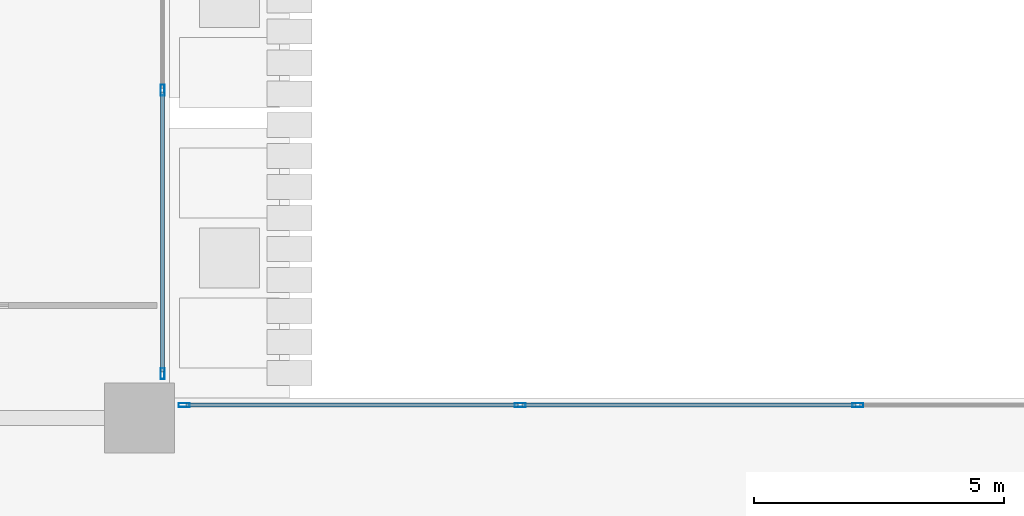
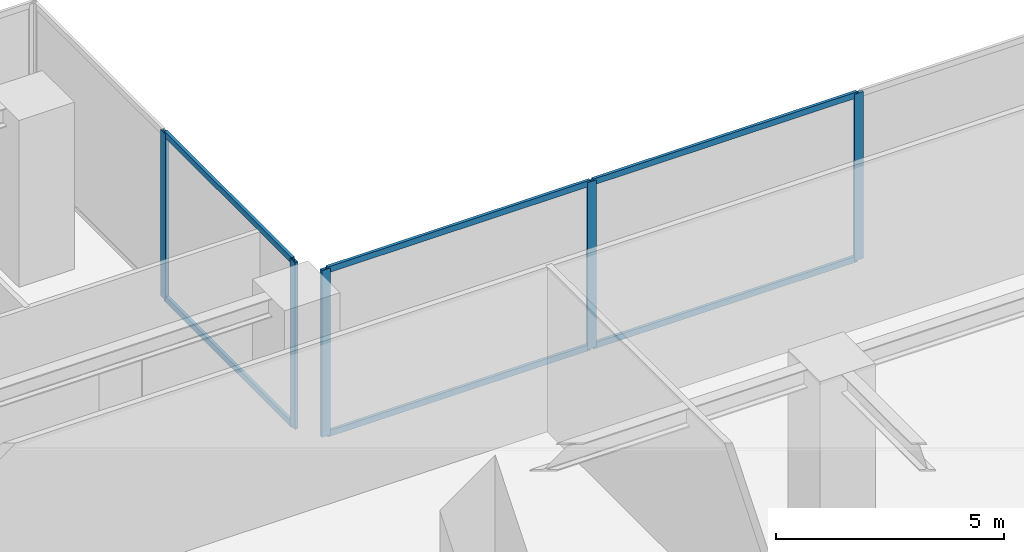
# One storey, part 5 of 17: 11 members, 2 elements without a shape of their own.
"""IFC4 building model written with IfcOpenShell, lengths in metres."""

from ifc_helpers import new_model, si_unit, direction, frame, origin, origin_with_axes, origin_2d, place, context, subcontext, project, spatial, hollow_rectangle, extrude, source, transform, mapped, material, layer, layer_set, material_profile, profile_set, type_object, element, aggregate, save


model = new_model("IFC4")

# Units and contexts
model_context = context("Model", 3, precision=1e-05, world=origin(), true_north=direction((0.0, 1.0)))
body_context = subcontext(model_context, "Body", "Model", "MODEL_VIEW")
ifc_project = project(units=[si_unit("LENGTHUNIT", "METRE"), si_unit("AREAUNIT", "SQUARE_METRE"), si_unit("VOLUMEUNIT", "CUBIC_METRE"), si_unit("PLANEANGLEUNIT", "RADIAN"), si_unit("MASSUNIT", "GRAM", prefix="KILO")], contexts=[model_context])

# Site, building, storey
site_placement = place(None, origin())
site = spatial("IfcSite", under=ifc_project, at=site_placement, CompositionType="ELEMENT")
building_placement = place(site_placement, origin())
building = spatial("IfcBuilding", under=site, at=building_placement, Name="Kolvaren Waterfront Exchange", CompositionType="ELEMENT")
storey_placement = place(building_placement, frame((0.0, 0.0, 5.60009765625)))
storey = spatial("IfcBuildingStorey", under=building, at=storey_placement, Name="L02", CompositionType="ELEMENT", Elevation=5.60009765625)

# Curtain wall, members
ifc_material_1 = material(Name="Anodised bronze aluminium 6063-T6", Category="aluminium")
ifc_layer = layer(ifc_material_1, 0.219970703125, Name="Anodised bronze aluminium 6063-T6")
ifc_layer_set = layer_set([ifc_layer], Name="Anodised bronze aluminium 6063-T6")
curtain_wall_type = type_object("IfcCurtainWallType", Name="ARC-CW-SYS4", PredefinedType="USERDEFINED", material=ifc_layer_set)
curtain_wall_1_placement = place(storey_placement, origin())
curtain_wall_1 = element("IfcCurtainWall", 1, at=curtain_wall_1_placement, inside=storey, type_object=curtain_wall_type, Name="L02 stick curtain wall CW4 (CW-L02-E2)", ObjectType="STICK CURTAIN WALL", PredefinedType="USERDEFINED")
ifc_material_2 = material(Name="Anodised aluminium 6063-T6", Category="aluminium")
ifc_material_profile_1 = material_profile(ifc_material_2, hollow_rectangle(XDim=0.080078125, YDim=0.219970703125, WallThickness=0.0048828125, at=origin_2d()), Name="ALU-MUL-220x80x5")
ifc_profile_set_1 = profile_set([ifc_material_profile_1], Name="Anodised aluminium 6063-T6")
member_type_1 = type_object("IfcMemberType", Name="ARC-CWM-220", PredefinedType="MULLION", material=ifc_profile_set_1)
shared_shape_1 = source(origin_with_axes(), body_context, "Body", "SweptSolid", [
    extrude(hollow_rectangle(XDim=0.080078125, YDim=0.219970703125, WallThickness=0.0048828125, at=origin_2d()), origin(), (0.0, 0.0, 1.0), 4.4599609375),
])
member_1_placement = place(storey_placement, frame((51.155029296875, 39.06005859375, 0.0), z_axis=(0.0, 0.0, 1.0), x_axis=(0.0, -1.0, 0.0)))
member_1 = element("IfcMember", 2, at=member_1_placement, type_object=member_type_1, Name="CW4 mullion 3", PredefinedType="MULLION", context=body_context, shape_type="MappedRepresentation", body=[
    mapped(shared_shape_1, transform((0.0, 0.0, 0.0), x_axis=(1.0, 0.0, 0.0), y_axis=(0.0, 1.0, 0.0), z_axis=(0.0, 0.0, 1.0), scale=1.0)),
])
member_2_placement = place(storey_placement, frame((44.402587890625, 39.06005859375, 0.0), z_axis=(0.0, 0.0, 1.0), x_axis=(0.0, -1.0, 0.0)))
member_2 = element("IfcMember", 3, at=member_2_placement, type_object=member_type_1, Name="CW4 mullion 4", PredefinedType="MULLION", context=body_context, shape_type="MappedRepresentation", body=[
    mapped(shared_shape_1, transform((0.0, 0.0, 0.0), x_axis=(1.0, 0.0, 0.0), y_axis=(0.0, 1.0, 0.0), z_axis=(0.0, 0.0, 1.0), scale=1.0)),
])
member_3_placement = place(storey_placement, frame((37.68994140625, 39.06005859375, 0.0), z_axis=(0.0, 0.0, 1.0), x_axis=(0.0, -1.0, 0.0)))
member_3 = element("IfcMember", 4, at=member_3_placement, type_object=member_type_1, Name="CW4 mullion 5", PredefinedType="MULLION", context=body_context, shape_type="MappedRepresentation", body=[
    mapped(shared_shape_1, transform((0.0, 0.0, 0.0), x_axis=(1.0, 0.0, 0.0), y_axis=(0.0, 1.0, 0.0), z_axis=(0.0, 0.0, 1.0), scale=1.0)),
])

curtain_wall_2_placement = place(storey_placement, origin())
curtain_wall_2 = element("IfcCurtainWall", 5, at=curtain_wall_2_placement, inside=storey, type_object=curtain_wall_type, Name="L02 stick curtain wall CW4 (CW-L02-N1)", ObjectType="STICK CURTAIN WALL", PredefinedType="USERDEFINED")
member_4_placement = place(storey_placement, frame((37.260009765625, 39.68994140625, 0.0), z_axis=(0.0, 0.0, 1.0), x_axis=(-1.0, 0.0, 0.0)))
member_4 = element("IfcMember", 6, at=member_4_placement, type_object=member_type_1, Name="CW4 mullion 1", PredefinedType="MULLION", context=body_context, shape_type="MappedRepresentation", body=[
    mapped(shared_shape_1, transform((0.0, 0.0, 0.0), x_axis=(1.0, 0.0, 0.0), y_axis=(0.0, 1.0, 0.0), z_axis=(0.0, 0.0, 1.0), scale=1.0)),
])
member_5_placement = place(storey_placement, frame((37.260009765625, 45.35498046875, 0.0), z_axis=(0.0, 0.0, 1.0), x_axis=(-1.0, 0.0, 0.0)))
member_5 = element("IfcMember", 7, at=member_5_placement, type_object=member_type_1, Name="CW4 mullion 2", PredefinedType="MULLION", context=body_context, shape_type="MappedRepresentation", body=[
    mapped(shared_shape_1, transform((0.0, 0.0, 0.0), x_axis=(1.0, 0.0, 0.0), y_axis=(0.0, 1.0, 0.0), z_axis=(0.0, 0.0, 1.0), scale=1.0)),
])

# Member
ifc_material_profile_2 = material_profile(ifc_material_2, hollow_rectangle(XDim=0.074951171875, YDim=0.159912109375, WallThickness=0.00439453125, at=origin_2d()), Name="ALU-TRN-160x75x4.5")
ifc_profile_set_2 = profile_set([ifc_material_profile_2], Name="Anodised aluminium 6063-T6")
member_type_2 = type_object("IfcMemberType", Name="ARC-CWT-160", PredefinedType="USERDEFINED", material=ifc_profile_set_2)
shared_shape_2 = source(origin_with_axes(), body_context, "Body", "SweptSolid", [
    extrude(hollow_rectangle(XDim=0.074951171875, YDim=0.159912109375, WallThickness=0.00439453125, at=origin_2d()), origin(), (0.0, 0.0, 1.0), 6.632568359375),
])
member_6_placement = place(storey_placement, frame((44.362548828125, 39.06005859375, 0.037353515625), z_axis=(-1.0, 0.0, 0.0), x_axis=(0.0, -1.0, 0.0)))
member_6 = element("IfcMember", 8, at=member_6_placement, type_object=member_type_2, Name="CW4 transom 4.1", ObjectType="TRANSOM", PredefinedType="USERDEFINED", context=body_context, shape_type="MappedRepresentation", body=[
    mapped(shared_shape_2, transform((0.0, 0.0, 0.0), x_axis=(1.0, 0.0, 0.0), y_axis=(0.0, 1.0, 0.0), z_axis=(0.0, 0.0, 1.0), scale=1.0)),
])

member_7_placement = place(storey_placement, frame((44.362548828125, 39.06005859375, 4.42236328125), z_axis=(-1.0, 0.0, 0.0), x_axis=(0.0, -1.0, 0.0)))
member_7 = element("IfcMember", 9, at=member_7_placement, type_object=member_type_2, Name="CW4 transom 4.2", ObjectType="TRANSOM", PredefinedType="USERDEFINED", context=body_context, shape_type="MappedRepresentation", body=[
    mapped(shared_shape_2, transform((0.0, 0.0, 0.0), x_axis=(1.0, 0.0, 0.0), y_axis=(0.0, 1.0, 0.0), z_axis=(0.0, 0.0, 1.0), scale=1.0)),
])

shared_shape_3 = source(origin_with_axes(), body_context, "Body", "SweptSolid", [
    extrude(hollow_rectangle(XDim=0.074951171875, YDim=0.159912109375, WallThickness=0.00439453125, at=origin_2d()), origin(), (0.0, 0.0, 1.0), 6.672607421875),
])
member_8_placement = place(storey_placement, frame((51.114990234375, 39.06005859375, 0.037353515625), z_axis=(-1.0, 0.0, 0.0), x_axis=(0.0, -1.0, 0.0)))
member_8 = element("IfcMember", 10, at=member_8_placement, type_object=member_type_2, Name="CW4 transom 3.1", ObjectType="TRANSOM", PredefinedType="USERDEFINED", context=body_context, shape_type="MappedRepresentation", body=[
    mapped(shared_shape_3, transform((0.0, 0.0, 0.0), x_axis=(1.0, 0.0, 0.0), y_axis=(0.0, 1.0, 0.0), z_axis=(0.0, 0.0, 1.0), scale=1.0)),
])

member_9_placement = place(storey_placement, frame((51.114990234375, 39.06005859375, 4.42236328125), z_axis=(-1.0, 0.0, 0.0), x_axis=(0.0, -1.0, 0.0)))
member_9 = element("IfcMember", 11, at=member_9_placement, type_object=member_type_2, Name="CW4 transom 3.2", ObjectType="TRANSOM", PredefinedType="USERDEFINED", context=body_context, shape_type="MappedRepresentation", body=[
    mapped(shared_shape_3, transform((0.0, 0.0, 0.0), x_axis=(1.0, 0.0, 0.0), y_axis=(0.0, 1.0, 0.0), z_axis=(0.0, 0.0, 1.0), scale=1.0)),
])

aggregate(curtain_wall_1, [member_1, member_2, member_3, member_8, member_9, member_6, member_7])

shared_shape_4 = source(origin_with_axes(), body_context, "Body", "SweptSolid", [
    extrude(hollow_rectangle(XDim=0.074951171875, YDim=0.159912109375, WallThickness=0.00439453125, at=origin_2d()), origin(), (0.0, 0.0, 1.0), 5.5849609375),
])
member_10_placement = place(storey_placement, frame((37.260009765625, 39.72998046875, 0.037353515625), z_axis=(0.0, 1.0, 0.0), x_axis=(-1.0, 0.0, 0.0)))
member_10 = element("IfcMember", 12, at=member_10_placement, type_object=member_type_2, Name="CW4 transom 1.1", ObjectType="TRANSOM", PredefinedType="USERDEFINED", context=body_context, shape_type="MappedRepresentation", body=[
    mapped(shared_shape_4, transform((0.0, 0.0, 0.0), x_axis=(1.0, 0.0, 0.0), y_axis=(0.0, 1.0, 0.0), z_axis=(0.0, 0.0, 1.0), scale=1.0)),
])

member_11_placement = place(storey_placement, frame((37.260009765625, 39.72998046875, 4.42236328125), z_axis=(0.0, 1.0, 0.0), x_axis=(-1.0, 0.0, 0.0)))
member_11 = element("IfcMember", 13, at=member_11_placement, type_object=member_type_2, Name="CW4 transom 1.2", ObjectType="TRANSOM", PredefinedType="USERDEFINED", context=body_context, shape_type="MappedRepresentation", body=[
    mapped(shared_shape_4, transform((0.0, 0.0, 0.0), x_axis=(1.0, 0.0, 0.0), y_axis=(0.0, 1.0, 0.0), z_axis=(0.0, 0.0, 1.0), scale=1.0)),
])

aggregate(curtain_wall_2, [member_4, member_5, member_10, member_11])

save(model, "model.ifc")
